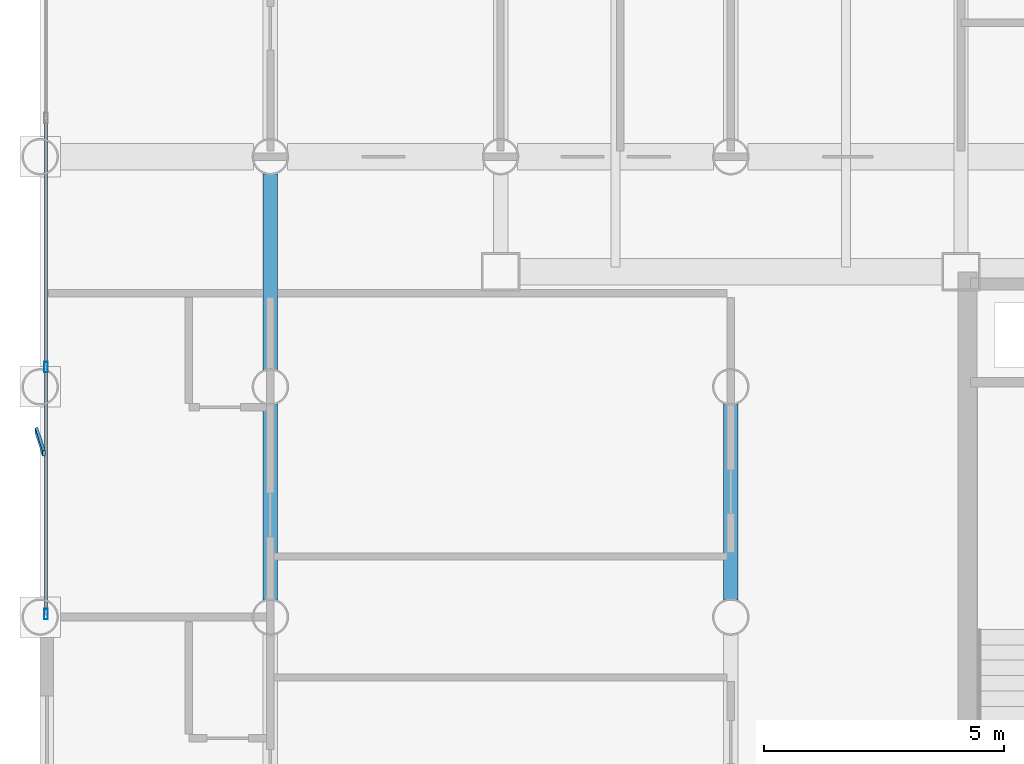
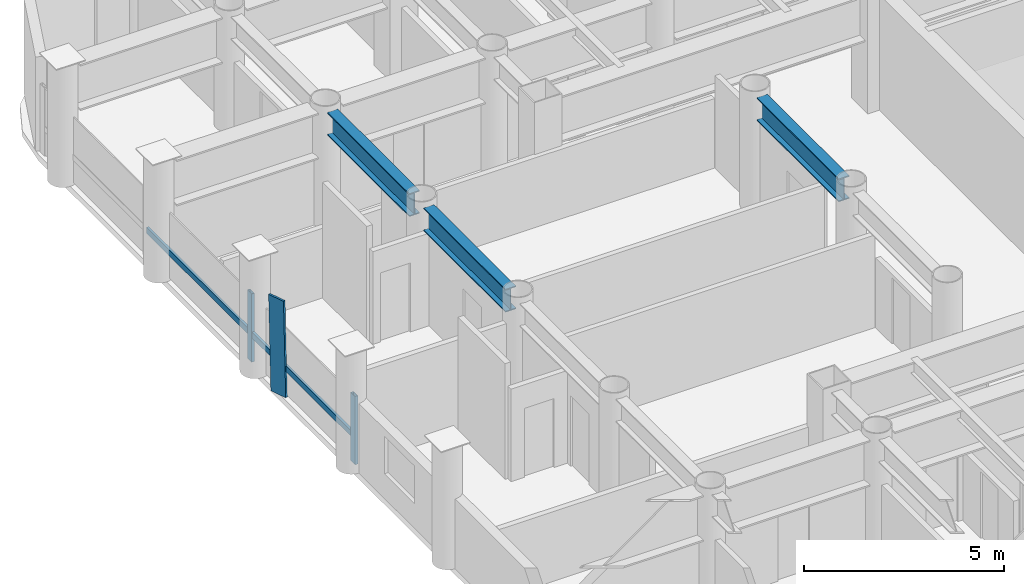
# One storey, part 6 of 26: 5 members, 3 beams, 1 element without a shape of its own.
"""IFC4 building model written with IfcOpenShell, lengths in metres."""

import ifcopenshell
import ifcopenshell.guid

model = None  # the IFC model being written
_history = None  # IfcOwnerHistory: only IFC2X3 demands one
_inside = {}  # id of a spatial element -> (the spatial element, [elements in it])
_under = {}  # id of a project, library or spatial element -> (it, [spatial elements below it])
_declared = {}  # id of a project -> (the project, [libraries it declares])
_typed = {}  # id of a type object -> (the type object, [elements of that type])
_made_of = {}  # id of a material, layer set ... -> (it, [elements and type objects made of it])


def new_model(schema):
    """Start an empty IFC model of exactly this schema.

    Asked for "IFC4X3", IfcOpenShell would pick the latest addendum, in which some entities
    have other attributes; the version numbers below select the first issue.
    IFC2X3 requires an IfcOwnerHistory on every rooted entity: one is made here for all.
    """
    global model, _history
    if schema == "IFC4X3":
        model = ifcopenshell.file(schema_version=(4, 3, 0, 0))
    else:
        model = ifcopenshell.file(schema=schema)
    _inside.clear()
    _under.clear()
    _declared.clear()
    _typed.clear()
    _made_of.clear()
    _history = None
    if model.schema == "IFC2X3":
        org = make("IfcOrganization", Name="unknown")
        user = make(
            "IfcPersonAndOrganization",
            ThePerson=make("IfcPerson", FamilyName="unknown"),
            TheOrganization=org,
        )
        app = make(
            "IfcApplication",
            ApplicationDeveloper=org,
            Version="unknown",
            ApplicationFullName="unknown",
            ApplicationIdentifier="unknown",
        )
        _history = make(
            "IfcOwnerHistory",
            OwningUser=user,
            OwningApplication=app,
            ChangeAction="ADDED",
            CreationDate=0,
        )
    return model


def make(cls, **values):
    """One entity of the class cls with the attributes given. An attribute that is None is left unset."""
    return model.create_entity(
        cls, **{name: value for name, value in values.items() if value is not None}
    )


def rooted(cls, **values):
    """An entity with a GlobalId (a new one), such as an element, a storey or a relation."""
    return make(cls, GlobalId=ifcopenshell.guid.new(), OwnerHistory=_history, **values)


def si_unit(unit_type, name, prefix=None):
    """IfcSIUnit, for example si_unit("LENGTHUNIT", "METRE", prefix="MILLI")."""
    return make("IfcSIUnit", UnitType=unit_type, Prefix=prefix, Name=name)


def assignment(units):
    """IfcUnitAssignment: the units of a project."""
    return None if units is None else make("IfcUnitAssignment", Units=units)


def point(xyz):
    """IfcCartesianPoint."""
    return None if xyz is None else make("IfcCartesianPoint", Coordinates=xyz)


def direction(xyz):
    """IfcDirection."""
    return None if xyz is None else make("IfcDirection", DirectionRatios=xyz)


def frame(location, z_axis=None, x_axis=None):
    """IfcAxis2Placement3D, a coordinate frame: its origin and axes. An axis left out is left unset."""
    return make(
        "IfcAxis2Placement3D",
        Location=point(location),
        Axis=direction(z_axis),
        RefDirection=direction(x_axis),
    )


def frame_2d(location, x_axis=None):
    """IfcAxis2Placement2D, a coordinate frame in the plane: its origin and x axis."""
    return make(
        "IfcAxis2Placement2D", Location=point(location), RefDirection=direction(x_axis)
    )


def origin():
    """The frame at (0, 0, 0) with its axes left unset."""
    return frame((0.0, 0.0, 0.0))


def origin_2d():
    """The frame at (0, 0) in the plane with its x axis left unset."""
    return frame_2d((0.0, 0.0))


def place(relative_to, where):
    """IfcLocalPlacement: puts the frame where relative to a parent placement (None: the world)."""
    return make(
        "IfcLocalPlacement", PlacementRelTo=relative_to, RelativePlacement=where
    )


def context(
    kind, dimensions, precision=None, world=None, true_north=None, identifier=None
):
    """IfcGeometricRepresentationContext, for example the 3D "Model" context."""
    return make(
        "IfcGeometricRepresentationContext",
        ContextIdentifier=identifier,
        ContextType=kind,
        CoordinateSpaceDimension=dimensions,
        Precision=precision,
        WorldCoordinateSystem=world,
        TrueNorth=true_north,
    )


def subcontext(parent, identifier, kind, view, scale=None):
    """IfcGeometricRepresentationSubContext, for example "Body" below "Model"."""
    return make(
        "IfcGeometricRepresentationSubContext",
        ContextIdentifier=identifier,
        ContextType=kind,
        ParentContext=parent,
        TargetScale=scale,
        TargetView=view,
    )


def project(units=None, contexts=None):
    """IfcProject with its units and contexts."""
    return rooted(
        "IfcProject",
        Name="project",
        RepresentationContexts=contexts,
        UnitsInContext=assignment(units),
    )


def spatial(cls, under=None, at=None, **own):
    """A site, building, storey or space (cls), placed at a placement, below another one or the project."""
    s = rooted(cls, ObjectPlacement=at, **own)
    if under is not None:
        _under.setdefault(under.id(), (under, []))[1].append(s)
    return s


def profile(cls, at=None, kind="AREA", **sizes):
    """A parametric profile (cls). Its sizes go by their IFC names, for example OverallWidth=200.0."""
    return make(cls, ProfileType=kind, Position=at, **sizes)


def rectangle(**sizes):
    """IfcRectangleProfileDef."""
    return profile("IfcRectangleProfileDef", **sizes)


def hollow_rectangle(**sizes):
    """IfcRectangleHollowProfileDef."""
    return profile("IfcRectangleHollowProfileDef", **sizes)


def i_section(**sizes):
    """IfcIShapeProfileDef."""
    return profile("IfcIShapeProfileDef", **sizes)


def extrude(swept, where, along, depth):
    """IfcExtrudedAreaSolid: the profile swept, set in the frame where, extruded along a direction by depth."""
    return make(
        "IfcExtrudedAreaSolid",
        SweptArea=swept,
        Position=where,
        ExtrudedDirection=direction(along),
        Depth=depth,
    )


def shape(context_of_items, identifier, shape_type, items):
    """IfcShapeRepresentation: the items that make up one representation, for example the "Body"."""
    return make(
        "IfcShapeRepresentation",
        ContextOfItems=context_of_items,
        RepresentationIdentifier=identifier,
        RepresentationType=shape_type,
        Items=items,
    )


def material(Name=None, Category=None):
    """IfcMaterial."""
    return make("IfcMaterial", Name=Name, Category=Category)


def layer(
    of_material, thickness, ventilated=None, Name=None, Category=None, Priority=None
):
    """IfcMaterialLayer: one layer of a wall or slab, of a material (None: an air gap)."""
    return make(
        "IfcMaterialLayer",
        Material=of_material,
        LayerThickness=thickness,
        IsVentilated=ventilated,
        Name=Name,
        Category=Category,
        Priority=Priority,
    )


def layer_set(layers, Name=None):
    """IfcMaterialLayerSet."""
    return make("IfcMaterialLayerSet", MaterialLayers=layers, LayerSetName=Name)


def material_profile(
    of_material, cross_section, Name=None, Category=None, Priority=None
):
    """IfcMaterialProfile: a cross section and its material."""
    return make(
        "IfcMaterialProfile",
        Name=Name,
        Material=of_material,
        Profile=cross_section,
        Priority=Priority,
        Category=Category,
    )


def profile_set(profiles, Name=None, composite=None):
    """IfcMaterialProfileSet."""
    return make(
        "IfcMaterialProfileSet",
        Name=Name,
        MaterialProfiles=profiles,
        CompositeProfile=composite,
    )


def made_of(thing, what):
    """Note that an element or type object is made of a material, layer set ...; save() writes the relation."""
    if what is not None:
        _made_of.setdefault(what.id(), (what, []))[1].append(thing)
    return thing


def type_object(cls, material=None, **own):
    """A type object (cls), such as IfcWallType, which elements share."""
    return made_of(rooted(cls, **own), material)


def element(
    cls,
    number,
    at=None,
    inside=None,
    cuts=None,
    type_object=None,
    material=None,
    context=None,
    identifier="Body",
    shape_type=None,
    held_by="IfcProductDefinitionShape",
    body=None,
    shapes=None,
    **own,
):
    """One element of the class cls, such as IfcWall. Its Tag is "e" and its number.

    at: its placement. inside: the storey or other place that contains it. cuts: it is an
    opening in that element (IfcRelVoidsElement). A single representation is given by context,
    identifier, shape_type and body (its items); several are given by shapes. held_by: the class
    of the entity that holds the representations. save() writes the other relations.
    """
    e = rooted(cls, Tag="e%d" % number, ObjectPlacement=at, **own)
    if body is not None:
        shapes = [shape(context, identifier, shape_type, body)]
    if shapes is not None:
        e.Representation = make(held_by, Representations=shapes)
    if inside is not None:
        _inside.setdefault(inside.id(), (inside, []))[1].append(e)
    if cuts is not None:
        rooted(
            "IfcRelVoidsElement", RelatingBuildingElement=cuts, RelatedOpeningElement=e
        )
    if type_object is not None:
        _typed.setdefault(type_object.id(), (type_object, []))[1].append(e)
    return made_of(e, material)


def aggregate(whole, parts):
    """IfcRelAggregates: a whole, such as a stair, and the parts it consists of."""
    return rooted("IfcRelAggregates", RelatingObject=whole, RelatedObjects=parts)


def save(model, path):
    """Write the relations noted so far, then the file.

    IfcRelAggregates (storeys below a building ...), IfcRelContainedInSpatialStructure (elements
    in a storey), IfcRelDefinesByType, IfcRelAssociatesMaterial and IfcRelDeclares: one each for
    every whole, place, type object, material and project.
    """
    for whole, parts in _under.values():
        aggregate(whole, parts)
    for where, things in _inside.values():
        rooted(
            "IfcRelContainedInSpatialStructure",
            RelatedElements=things,
            RelatingStructure=where,
        )
    for kind, things in _typed.values():
        rooted("IfcRelDefinesByType", RelatedObjects=things, RelatingType=kind)
    for what, things in _made_of.values():
        rooted("IfcRelAssociatesMaterial", RelatedObjects=things, RelatingMaterial=what)
    for by, libraries in _declared.values():
        rooted("IfcRelDeclares", RelatingContext=by, RelatedDefinitions=libraries)
    model.write(path)


model = new_model("IFC4")

# Units and contexts
model_context = context("Model", 3, precision=1e-05, world=origin(), true_north=direction((0.0, 1.0)))
body_context = subcontext(model_context, "Body", "Model", "MODEL_VIEW")
ifc_project = project(units=[si_unit("LENGTHUNIT", "METRE"), si_unit("AREAUNIT", "SQUARE_METRE"), si_unit("VOLUMEUNIT", "CUBIC_METRE"), si_unit("PLANEANGLEUNIT", "RADIAN"), si_unit("MASSUNIT", "GRAM", prefix="KILO")], contexts=[model_context])

# Site, building, storey
site_placement = place(None, origin())
site = spatial("IfcSite", under=ifc_project, at=site_placement, CompositionType="ELEMENT")
building_placement = place(site_placement, origin())
building = spatial("IfcBuilding", under=site, at=building_placement, Name="Kallvorn Hotel Tower", CompositionType="ELEMENT")
storey_placement = place(building_placement, frame((0.0, 0.0, 55.89990234375)))
storey = spatial("IfcBuildingStorey", under=building, at=storey_placement, Name="L12", CompositionType="ELEMENT", Elevation=55.89990234375)

# Beams
ifc_material_1 = material(Name="Structural steel S355JR", Category="steel")
ifc_material_profile_1 = material_profile(ifc_material_1, i_section(OverallWidth=0.300048828125, OverallDepth=0.699951171875, WebThickness=0.01708984375, FlangeThickness=0.031982421875, at=origin_2d()), Name="HE 700 B")
ifc_profile_set_1 = profile_set([ifc_material_profile_1], Name="Structural steel S355JR")
beam_type = type_object("IfcBeamType", Name="BM_HE700B", PredefinedType="BEAM", material=ifc_profile_set_1)
beam_1_placement = place(storey_placement, frame((-28.800048828125, 0.35595703125, 3.170166015625), z_axis=(0.0, 1.0, 0.0), x_axis=(-1.0, 0.0, 0.0)))
element("IfcBeam", 1, at=beam_1_placement, inside=storey, type_object=beam_type, Name="L13 Primary Y-Girder 87", PredefinedType="BEAM", context=body_context, shape_type="SweptSolid", body=[
    extrude(i_section(OverallWidth=0.300048828125, OverallDepth=0.699951171875, WebThickness=0.01708984375, FlangeThickness=0.031982421875, at=origin_2d()), origin(), (0.0, 0.0, 1.0), 4.088134765625),
])
beam_2_placement = place(storey_placement, frame((-28.800048828125, 5.156005859375, 3.170166015625), z_axis=(0.0, 1.0, 0.0), x_axis=(-1.0, 0.0, 0.0)))
element("IfcBeam", 2, at=beam_2_placement, inside=storey, type_object=beam_type, Name="L13 Primary Y-Girder 88", PredefinedType="BEAM", context=body_context, shape_type="SweptSolid", body=[
    extrude(i_section(OverallWidth=0.300048828125, OverallDepth=0.699951171875, WebThickness=0.01708984375, FlangeThickness=0.031982421875, at=origin_2d()), origin(), (0.0, 0.0, 1.0), 4.087890625),
])
beam_3_placement = place(storey_placement, frame((-19.199951171875, 0.35595703125, 3.170166015625), z_axis=(0.0, 1.0, 0.0), x_axis=(-1.0, 0.0, 0.0)))
element("IfcBeam", 3, at=beam_3_placement, inside=storey, type_object=beam_type, Name="L13 Primary Y-Girder 103", PredefinedType="BEAM", context=body_context, shape_type="SweptSolid", body=[
    extrude(i_section(OverallWidth=0.300048828125, OverallDepth=0.699951171875, WebThickness=0.01708984375, FlangeThickness=0.031982421875, at=origin_2d()), origin(), (0.0, 0.0, 1.0), 4.088134765625),
])

# Curtain wall, members
ifc_material_2 = material(Name="Thermally broken black-anodised aluminium AA 6063-T6", Category="aluminium")
ifc_layer = layer(ifc_material_2, 0.199951171875)
ifc_layer_set = layer_set([ifc_layer], Name="CW_SYS_3_HOTEL_LOW")
curtain_wall_type = type_object("IfcCurtainWallType", Name="CW_SYS_3_HOTEL_LOW", PredefinedType="USERDEFINED", material=ifc_layer_set)
curtain_wall_placement = place(storey_placement, origin())
curtain_wall = element("IfcCurtainWall", 4, at=curtain_wall_placement, inside=storey, type_object=curtain_wall_type, Name="L12 Dark-Glass Curtain Wall CW-L12-WN", ObjectType="UNITISED CURTAIN WALL", PredefinedType="USERDEFINED")
ifc_material_3 = material(Name="Thermally broken black-anodised aluminium AA 6063-T6", Category="aluminium")
ifc_material_profile_2 = material_profile(ifc_material_3, hollow_rectangle(XDim=0.080078125, YDim=0.219970703125, WallThickness=0.0048828125, at=origin_2d()), Name="MUL 220x80")
ifc_profile_set_2 = profile_set([ifc_material_profile_2], Name="Thermally broken black-anodised aluminium AA 6063-T6")
member_type_1 = type_object("IfcMemberType", Name="CW_MULLION_220x80", PredefinedType="MULLION", material=ifc_profile_set_2)
member_1_placement = place(storey_placement, frame((-33.47998046875, 0.06005859375, 0.02001953125), z_axis=(0.0, 0.0, 1.0), x_axis=(1.0, 0.0, 0.0)))
member_1 = element("IfcMember", 5, at=member_1_placement, type_object=member_type_1, Name="CW-L12-WN Mullion 00", PredefinedType="MULLION", context=body_context, shape_type="SweptSolid", body=[
    extrude(hollow_rectangle(XDim=0.080078125, YDim=0.219970703125, WallThickness=0.0048828125, at=origin_2d()), origin(), (0.0, 0.0, 1.0), 2.080078125),
])
member_2_placement = place(storey_placement, frame((-33.47998046875, 5.21337890625, 0.02001953125), z_axis=(0.0, 0.0, 1.0), x_axis=(1.0, 0.0, 0.0)))
member_2 = element("IfcMember", 6, at=member_2_placement, type_object=member_type_1, Name="CW-L12-WN Mullion 01", PredefinedType="MULLION", context=body_context, shape_type="SweptSolid", body=[
    extrude(hollow_rectangle(XDim=0.080078125, YDim=0.219970703125, WallThickness=0.0048828125, at=origin_2d()), origin(), (0.0, 0.0, 1.0), 2.080078125),
])
ifc_material_4 = material(Name="Thermally broken black-anodised aluminium AA 6063-T6", Category="aluminium")
ifc_material_profile_3 = material_profile(ifc_material_4, hollow_rectangle(XDim=0.070068359375, YDim=0.179931640625, WallThickness=0.00390625, at=origin_2d()), Name="TRN 180x70")
ifc_profile_set_3 = profile_set([ifc_material_profile_3], Name="Thermally broken black-anodised aluminium AA 6063-T6")
member_type_2 = type_object("IfcMemberType", Name="CW_TRANSOM_180x70", PredefinedType="USERDEFINED", material=ifc_profile_set_3)
member_3_placement = place(storey_placement, frame((-33.47998046875, 0.06005859375, 0.85009765625), z_axis=(0.0, 1.0, 0.0), x_axis=(-1.0, 0.0, 0.0)))
member_3 = element("IfcMember", 7, at=member_3_placement, type_object=member_type_2, Name="CW-L12-WN Transom 00M", ObjectType="TRANSOM", PredefinedType="USERDEFINED", context=body_context, shape_type="SweptSolid", body=[
    extrude(hollow_rectangle(XDim=0.070068359375, YDim=0.179931640625, WallThickness=0.00390625, at=origin_2d()), origin(), (0.0, 0.0, 1.0), 5.11328125),
])
member_4_placement = place(storey_placement, frame((-33.47998046875, 5.25341796875, 0.85009765625), z_axis=(0.0, 1.0, 0.0), x_axis=(-1.0, 0.0, 0.0)))
member_4 = element("IfcMember", 8, at=member_4_placement, type_object=member_type_2, Name="CW-L12-WN Transom 01M", ObjectType="TRANSOM", PredefinedType="USERDEFINED", context=body_context, shape_type="SweptSolid", body=[
    extrude(hollow_rectangle(XDim=0.070068359375, YDim=0.179931640625, WallThickness=0.00390625, at=origin_2d()), origin(), (0.0, 0.0, 1.0), 5.11328125),
])
aggregate(curtain_wall, [member_1, member_2, member_3, member_4])

# Member
ifc_material_5 = material(Name="Thermally broken black-anodised aluminium AA 6063-T6", Category="aluminium")
ifc_material_profile_4 = material_profile(ifc_material_5, rectangle(XDim=0.06005859375, YDim=0.5, at=origin_2d()), Name="FIN 500x60")
ifc_profile_set_4 = profile_set([ifc_material_profile_4], Name="Thermally broken black-anodised aluminium AA 6063-T6")
member_type_3 = type_object("IfcMemberType", Name="MBR_SUNSHADE_FIN", PredefinedType="USERDEFINED", material=ifc_profile_set_4)
member_5_placement = place(storey_placement, frame((-33.60009765625, 3.60009765625, 0.0), z_axis=(0.0, 0.038929297479, 0.999241967592), x_axis=(-0.951056516295, -0.308782749479, 0.0120298145)))
element("IfcMember", 9, at=member_5_placement, inside=storey, type_object=member_type_3, Name="L12 Angled Vertical Sunshade Fin W1", ObjectType="SUNSHADE FIN", PredefinedType="USERDEFINED", context=body_context, shape_type="SweptSolid", body=[
    extrude(rectangle(XDim=0.06005859375, YDim=0.5, at=origin_2d()), origin(), (0.0, 0.0, 1.0), 2.872314453125),
])

save(model, "model.ifc")
